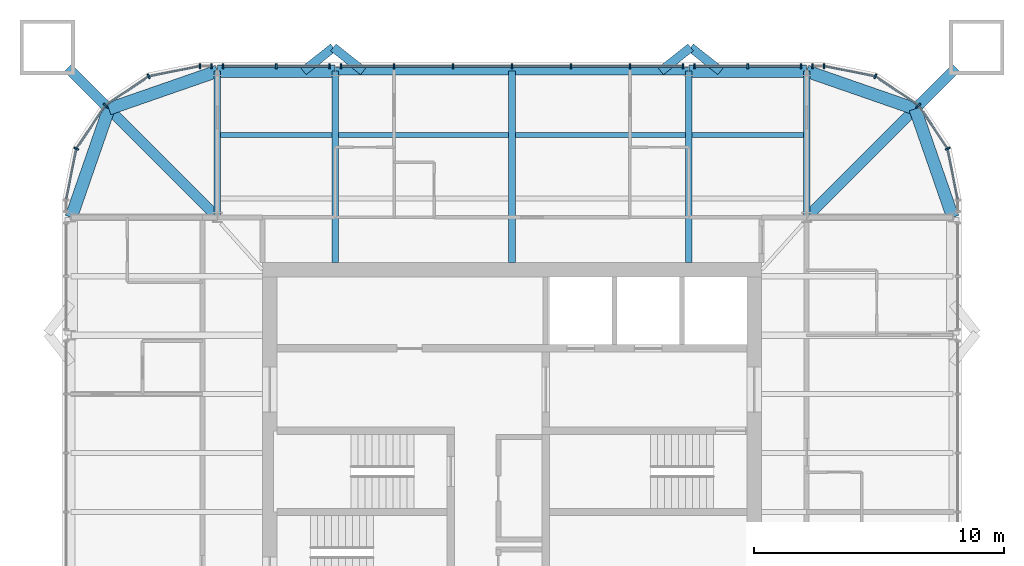
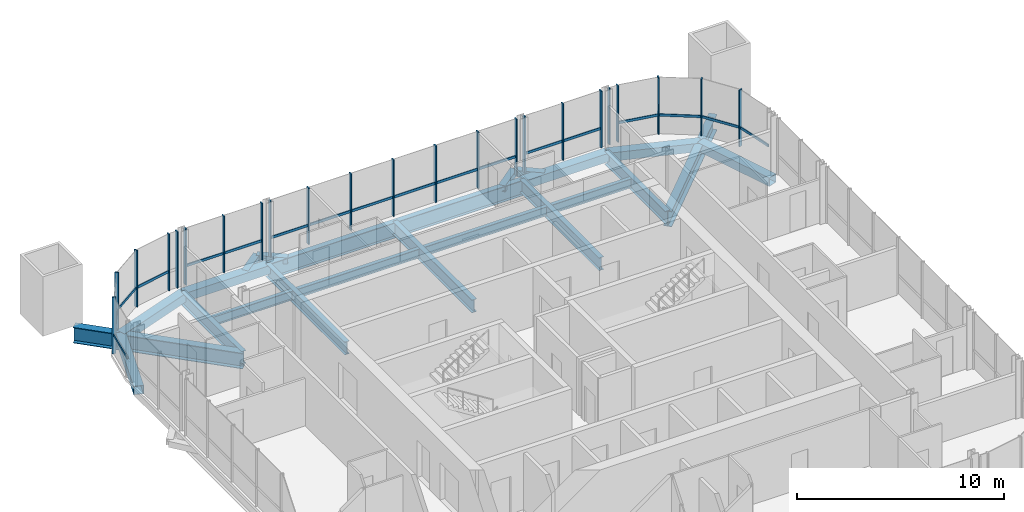
# One storey, part 6 of 17: 41 members, 22 beams, 7 elements without a shape of their own.
"""IFC4 building model written with IfcOpenShell, lengths in metres."""

import ifcopenshell
import ifcopenshell.guid

model = None  # the IFC model being written
_history = None  # IfcOwnerHistory: only IFC2X3 demands one
_inside = {}  # id of a spatial element -> (the spatial element, [elements in it])
_under = {}  # id of a project, library or spatial element -> (it, [spatial elements below it])
_declared = {}  # id of a project -> (the project, [libraries it declares])
_typed = {}  # id of a type object -> (the type object, [elements of that type])
_made_of = {}  # id of a material, layer set ... -> (it, [elements and type objects made of it])


def new_model(schema):
    """Start an empty IFC model of exactly this schema.

    Asked for "IFC4X3", IfcOpenShell would pick the latest addendum, in which some entities
    have other attributes; the version numbers below select the first issue.
    IFC2X3 requires an IfcOwnerHistory on every rooted entity: one is made here for all.
    """
    global model, _history
    if schema == "IFC4X3":
        model = ifcopenshell.file(schema_version=(4, 3, 0, 0))
    else:
        model = ifcopenshell.file(schema=schema)
    _inside.clear()
    _under.clear()
    _declared.clear()
    _typed.clear()
    _made_of.clear()
    _history = None
    if model.schema == "IFC2X3":
        org = make("IfcOrganization", Name="unknown")
        user = make(
            "IfcPersonAndOrganization",
            ThePerson=make("IfcPerson", FamilyName="unknown"),
            TheOrganization=org,
        )
        app = make(
            "IfcApplication",
            ApplicationDeveloper=org,
            Version="unknown",
            ApplicationFullName="unknown",
            ApplicationIdentifier="unknown",
        )
        _history = make(
            "IfcOwnerHistory",
            OwningUser=user,
            OwningApplication=app,
            ChangeAction="ADDED",
            CreationDate=0,
        )
    return model


def make(cls, **values):
    """One entity of the class cls with the attributes given. An attribute that is None is left unset."""
    return model.create_entity(
        cls, **{name: value for name, value in values.items() if value is not None}
    )


def rooted(cls, **values):
    """An entity with a GlobalId (a new one), such as an element, a storey or a relation."""
    return make(cls, GlobalId=ifcopenshell.guid.new(), OwnerHistory=_history, **values)


def si_unit(unit_type, name, prefix=None):
    """IfcSIUnit, for example si_unit("LENGTHUNIT", "METRE", prefix="MILLI")."""
    return make("IfcSIUnit", UnitType=unit_type, Prefix=prefix, Name=name)


def assignment(units):
    """IfcUnitAssignment: the units of a project."""
    return None if units is None else make("IfcUnitAssignment", Units=units)


def point(xyz):
    """IfcCartesianPoint."""
    return None if xyz is None else make("IfcCartesianPoint", Coordinates=xyz)


def direction(xyz):
    """IfcDirection."""
    return None if xyz is None else make("IfcDirection", DirectionRatios=xyz)


def frame(location, z_axis=None, x_axis=None):
    """IfcAxis2Placement3D, a coordinate frame: its origin and axes. An axis left out is left unset."""
    return make(
        "IfcAxis2Placement3D",
        Location=point(location),
        Axis=direction(z_axis),
        RefDirection=direction(x_axis),
    )


def frame_2d(location, x_axis=None):
    """IfcAxis2Placement2D, a coordinate frame in the plane: its origin and x axis."""
    return make(
        "IfcAxis2Placement2D", Location=point(location), RefDirection=direction(x_axis)
    )


def origin():
    """The frame at (0, 0, 0) with its axes left unset."""
    return frame((0.0, 0.0, 0.0))


def origin_2d():
    """The frame at (0, 0) in the plane with its x axis left unset."""
    return frame_2d((0.0, 0.0))


def place(relative_to, where):
    """IfcLocalPlacement: puts the frame where relative to a parent placement (None: the world)."""
    return make(
        "IfcLocalPlacement", PlacementRelTo=relative_to, RelativePlacement=where
    )


def context(
    kind, dimensions, precision=None, world=None, true_north=None, identifier=None
):
    """IfcGeometricRepresentationContext, for example the 3D "Model" context."""
    return make(
        "IfcGeometricRepresentationContext",
        ContextIdentifier=identifier,
        ContextType=kind,
        CoordinateSpaceDimension=dimensions,
        Precision=precision,
        WorldCoordinateSystem=world,
        TrueNorth=true_north,
    )


def subcontext(parent, identifier, kind, view, scale=None):
    """IfcGeometricRepresentationSubContext, for example "Body" below "Model"."""
    return make(
        "IfcGeometricRepresentationSubContext",
        ContextIdentifier=identifier,
        ContextType=kind,
        ParentContext=parent,
        TargetScale=scale,
        TargetView=view,
    )


def project(units=None, contexts=None):
    """IfcProject with its units and contexts."""
    return rooted(
        "IfcProject",
        Name="project",
        RepresentationContexts=contexts,
        UnitsInContext=assignment(units),
    )


def spatial(cls, under=None, at=None, **own):
    """A site, building, storey or space (cls), placed at a placement, below another one or the project."""
    s = rooted(cls, ObjectPlacement=at, **own)
    if under is not None:
        _under.setdefault(under.id(), (under, []))[1].append(s)
    return s


def profile(cls, at=None, kind="AREA", **sizes):
    """A parametric profile (cls). Its sizes go by their IFC names, for example OverallWidth=200.0."""
    return make(cls, ProfileType=kind, Position=at, **sizes)


def rectangle(**sizes):
    """IfcRectangleProfileDef."""
    return profile("IfcRectangleProfileDef", **sizes)


def hollow_rectangle(**sizes):
    """IfcRectangleHollowProfileDef."""
    return profile("IfcRectangleHollowProfileDef", **sizes)


def i_section(**sizes):
    """IfcIShapeProfileDef."""
    return profile("IfcIShapeProfileDef", **sizes)


def extrude(swept, where, along, depth):
    """IfcExtrudedAreaSolid: the profile swept, set in the frame where, extruded along a direction by depth."""
    return make(
        "IfcExtrudedAreaSolid",
        SweptArea=swept,
        Position=where,
        ExtrudedDirection=direction(along),
        Depth=depth,
    )


def shape(context_of_items, identifier, shape_type, items):
    """IfcShapeRepresentation: the items that make up one representation, for example the "Body"."""
    return make(
        "IfcShapeRepresentation",
        ContextOfItems=context_of_items,
        RepresentationIdentifier=identifier,
        RepresentationType=shape_type,
        Items=items,
    )


def material(Name=None, Category=None):
    """IfcMaterial."""
    return make("IfcMaterial", Name=Name, Category=Category)


def material_profile(
    of_material, cross_section, Name=None, Category=None, Priority=None
):
    """IfcMaterialProfile: a cross section and its material."""
    return make(
        "IfcMaterialProfile",
        Name=Name,
        Material=of_material,
        Profile=cross_section,
        Priority=Priority,
        Category=Category,
    )


def profile_set(profiles, Name=None, composite=None):
    """IfcMaterialProfileSet."""
    return make(
        "IfcMaterialProfileSet",
        Name=Name,
        MaterialProfiles=profiles,
        CompositeProfile=composite,
    )


def made_of(thing, what):
    """Note that an element or type object is made of a material, layer set ...; save() writes the relation."""
    if what is not None:
        _made_of.setdefault(what.id(), (what, []))[1].append(thing)
    return thing


def type_object(cls, material=None, **own):
    """A type object (cls), such as IfcWallType, which elements share."""
    return made_of(rooted(cls, **own), material)


def element(
    cls,
    number,
    at=None,
    inside=None,
    cuts=None,
    type_object=None,
    material=None,
    context=None,
    identifier="Body",
    shape_type=None,
    held_by="IfcProductDefinitionShape",
    body=None,
    shapes=None,
    **own,
):
    """One element of the class cls, such as IfcWall. Its Tag is "e" and its number.

    at: its placement. inside: the storey or other place that contains it. cuts: it is an
    opening in that element (IfcRelVoidsElement). A single representation is given by context,
    identifier, shape_type and body (its items); several are given by shapes. held_by: the class
    of the entity that holds the representations. save() writes the other relations.
    """
    e = rooted(cls, Tag="e%d" % number, ObjectPlacement=at, **own)
    if body is not None:
        shapes = [shape(context, identifier, shape_type, body)]
    if shapes is not None:
        e.Representation = make(held_by, Representations=shapes)
    if inside is not None:
        _inside.setdefault(inside.id(), (inside, []))[1].append(e)
    if cuts is not None:
        rooted(
            "IfcRelVoidsElement", RelatingBuildingElement=cuts, RelatedOpeningElement=e
        )
    if type_object is not None:
        _typed.setdefault(type_object.id(), (type_object, []))[1].append(e)
    return made_of(e, material)


def aggregate(whole, parts):
    """IfcRelAggregates: a whole, such as a stair, and the parts it consists of."""
    return rooted("IfcRelAggregates", RelatingObject=whole, RelatedObjects=parts)


def save(model, path):
    """Write the relations noted so far, then the file.

    IfcRelAggregates (storeys below a building ...), IfcRelContainedInSpatialStructure (elements
    in a storey), IfcRelDefinesByType, IfcRelAssociatesMaterial and IfcRelDeclares: one each for
    every whole, place, type object, material and project.
    """
    for whole, parts in _under.values():
        aggregate(whole, parts)
    for where, things in _inside.values():
        rooted(
            "IfcRelContainedInSpatialStructure",
            RelatedElements=things,
            RelatingStructure=where,
        )
    for kind, things in _typed.values():
        rooted("IfcRelDefinesByType", RelatedObjects=things, RelatingType=kind)
    for what, things in _made_of.values():
        rooted("IfcRelAssociatesMaterial", RelatedObjects=things, RelatingMaterial=what)
    for by, libraries in _declared.values():
        rooted("IfcRelDeclares", RelatingContext=by, RelatedDefinitions=libraries)
    model.write(path)


model = new_model("IFC4")

# Units and contexts
model_context = context("Model", 3, precision=1e-05, world=origin(), true_north=direction((0.0, 1.0)))
body_context = subcontext(model_context, "Body", "Model", "MODEL_VIEW")
ifc_project = project(units=[si_unit("LENGTHUNIT", "METRE"), si_unit("AREAUNIT", "SQUARE_METRE"), si_unit("VOLUMEUNIT", "CUBIC_METRE"), si_unit("PLANEANGLEUNIT", "RADIAN"), si_unit("MASSUNIT", "GRAM", prefix="KILO")], contexts=[model_context])

# Site, building, storey
site_placement = place(None, origin())
site = spatial("IfcSite", under=ifc_project, at=site_placement, CompositionType="ELEMENT")
building_placement = place(site_placement, origin())
building = spatial("IfcBuilding", under=site, at=building_placement, Name="Turquesa Mirador Hotel Tower", CompositionType="ELEMENT")
storey_placement = place(building_placement, frame((0.0, 0.0, 240.699951171875)))
storey = spatial("IfcBuildingStorey", under=building, at=storey_placement, Name="L65", CompositionType="ELEMENT", Elevation=240.699951171875)

# Beams
ifc_material_1 = material(Name="Steel ASTM A572 Grade 50", Category="steel")
ifc_material_profile_1 = material_profile(ifc_material_1, hollow_rectangle(XDim=0.5, YDim=0.5, WallThickness=0.01611328125, at=origin_2d()), Name="BOX500X500X16")
ifc_profile_set_1 = profile_set([ifc_material_profile_1], Name="Steel ASTM A572 Grade 50")
beam_type_1 = type_object("IfcBeamType", Name="BEAM BOX500X500X16", PredefinedType="BEAM", material=ifc_profile_set_1)
for number, where, z_axis, x_axis, name in (
    (1, (43.199951171875, 62.64990234375, -0.419921875), (1.0, 0.0, 0.0), (0.0, 1.0, 0.0), "EB-L65-N-L"),
    (2, (62.080078125, 62.64990234375, -0.419921875), (1.0, 0.0, 0.0), (0.0, 1.0, 0.0), "EB-L65-N-R"),
):
    element("IfcBeam", number, at=place(storey_placement, frame(where, z_axis=z_axis, x_axis=x_axis)), inside=storey, type_object=beam_type_1, Name=name, PredefinedType="BEAM", context=body_context, shape_type="SweptSolid", body=[
        extrude(hollow_rectangle(XDim=0.5, YDim=0.5, WallThickness=0.01611328125, at=origin_2d()), origin(), (0.0, 0.0, 1.0), 4.719970703125),
    ])
for number, where, z_axis, x_axis, name in (
    (3, (72.64990234375, 56.800048828125, -0.419921875), (-0.328170356092, 0.944618556552, 0.0), (-0.944618556552, -0.328170356092, 0.0), "KE-L65-1-0"),
    (4, (71.1416015625, 61.1416015625, -0.419921875), (-0.944618556552, 0.328170356092, 0.0), (-0.328170356092, -0.944618556552, 0.0), "KE-L65-1-1"),
    (5, (37.35009765625, 56.800048828125, -0.419921875), (0.328170356092, 0.944618556552, 0.0), (-0.944618556552, 0.328170356092, 0.0), "KE-L65-2-0"),
    (6, (38.8583984375, 61.1416015625, -0.419921875), (0.944618556552, 0.328170356092, 0.0), (-0.328170356092, 0.944618556552, 0.0), "KE-L65-2-1"),
):
    element("IfcBeam", number, at=place(storey_placement, frame(where, z_axis=z_axis, x_axis=x_axis)), inside=storey, type_object=beam_type_1, Name=name, PredefinedType="BEAM", context=body_context, shape_type="SweptSolid", body=[
        extrude(hollow_rectangle(XDim=0.5, YDim=0.5, WallThickness=0.01611328125, at=origin_2d()), origin(), (0.0, 0.0, 1.0), 4.59619140625),
    ])
ifc_material_2 = material(Name="Steel ASTM A992 Grade 50", Category="steel")
ifc_material_profile_2 = material_profile(ifc_material_2, i_section(OverallWidth=0.209228515625, OverallDepth=0.533447265625, WebThickness=0.01025390625, FlangeThickness=0.015625, at=origin_2d()), Name="W21X62")
ifc_profile_set_2 = profile_set([ifc_material_profile_2], Name="Steel ASTM A992 Grade 50")
beam_type_2 = type_object("IfcBeamType", Name="BEAM W21X62", PredefinedType="BEAM", material=ifc_profile_set_2)
beam_1_placement = place(storey_placement, frame((43.333251953125, 60.10009765625, -0.436767578125), z_axis=(1.0, 0.0, 0.0), x_axis=(0.0, 1.0, 0.0)))
element("IfcBeam", 7, at=beam_1_placement, inside=storey, type_object=beam_type_2, Name="IB-L65-N-2-0", PredefinedType="BEAM", context=body_context, shape_type="SweptSolid", body=[
    extrude(i_section(OverallWidth=0.209228515625, OverallDepth=0.533447265625, WebThickness=0.01025390625, FlangeThickness=0.015625, at=origin_2d()), origin(), (0.0, 0.0, 1.0), 4.453369140625),
])
for number, where, z_axis, x_axis, name in (
    (8, (48.053466796875, 60.10009765625, -0.436767578125), (1.0, 0.0, 0.0), (0.0, 1.0, 0.0), "IB-L65-N-2-1"),
    (9, (55.13330078125, 60.10009765625, -0.436767578125), (1.0, 0.0, 0.0), (0.0, 1.0, 0.0), "IB-L65-N-2-2"),
):
    element("IfcBeam", number, at=place(storey_placement, frame(where, z_axis=z_axis, x_axis=x_axis)), inside=storey, type_object=beam_type_2, Name=name, PredefinedType="BEAM", context=body_context, shape_type="SweptSolid", body=[
        extrude(i_section(OverallWidth=0.209228515625, OverallDepth=0.533447265625, WebThickness=0.01025390625, FlangeThickness=0.015625, at=origin_2d()), origin(), (0.0, 0.0, 1.0), 6.813232421875),
    ])
beam_2_placement = place(storey_placement, frame((62.21337890625, 60.10009765625, -0.436767578125), z_axis=(1.0, 0.0, 0.0), x_axis=(0.0, 1.0, 0.0)))
element("IfcBeam", 10, at=beam_2_placement, inside=storey, type_object=beam_type_2, Name="IB-L65-N-2-3", PredefinedType="BEAM", context=body_context, shape_type="SweptSolid", body=[
    extrude(i_section(OverallWidth=0.209228515625, OverallDepth=0.533447265625, WebThickness=0.01025390625, FlangeThickness=0.015625, at=origin_2d()), origin(), (0.0, 0.0, 1.0), 4.453369140625),
])
ifc_material_3 = material(Name="Steel ASTM A992 Grade 50", Category="steel")
ifc_material_profile_3 = material_profile(ifc_material_3, i_section(OverallWidth=0.2666015625, OverallDepth=0.7568359375, WebThickness=0.013916015625, FlangeThickness=0.019287109375, at=origin_2d()), Name="W30X108")
ifc_profile_set_3 = profile_set([ifc_material_profile_3], Name="Steel ASTM A992 Grade 50")
beam_type_3 = type_object("IfcBeamType", Name="BEAM W30X108", PredefinedType="BEAM", material=ifc_profile_set_3)
for number, where, z_axis, x_axis, name in (
    (11, (47.919921875, 62.64990234375, -0.54833984375), (0.0, -1.0, 0.0), (1.0, 0.0, 0.0), "GD-L65-N--7.08"),
    (12, (62.080078125, 62.64990234375, -0.54833984375), (0.0, -1.0, 0.0), (1.0, 0.0, 0.0), "GD-L65-N-+7.08"),
    (13, (55.0, 62.64990234375, -0.54833984375), (0.0, -1.0, 0.0), (1.0, 0.0, 0.0), "GD-L65-N-+0.00"),
):
    element("IfcBeam", number, at=place(storey_placement, frame(where, z_axis=z_axis, x_axis=x_axis)), inside=storey, type_object=beam_type_3, Name=name, PredefinedType="BEAM", context=body_context, shape_type="SweptSolid", body=[
        extrude(i_section(OverallWidth=0.2666015625, OverallDepth=0.7568359375, WebThickness=0.013916015625, FlangeThickness=0.019287109375, at=origin_2d()), origin(), (0.0, 0.0, 1.0), 7.64990234375),
    ])
for number, where, z_axis, x_axis, name in (
    (14, (43.199951171875, 62.64990234375, -0.54833984375), (0.0, -1.0, 0.0), (1.0, 0.0, 0.0), "GK-L65-N--11.80"),
    (15, (66.800048828125, 62.64990234375, -0.54833984375), (0.0, -1.0, 0.0), (1.0, 0.0, 0.0), "GK-L65-N-+11.80"),
):
    element("IfcBeam", number, at=place(storey_placement, frame(where, z_axis=z_axis, x_axis=x_axis)), inside=storey, type_object=beam_type_3, Name=name, PredefinedType="BEAM", context=body_context, shape_type="SweptSolid", body=[
        extrude(i_section(OverallWidth=0.2666015625, OverallDepth=0.7568359375, WebThickness=0.013916015625, FlangeThickness=0.019287109375, at=origin_2d()), origin(), (0.0, 0.0, 1.0), 5.849853515625),
    ])
ifc_material_4 = material(Name="Steel ASTM A992 Grade 50", Category="steel")
ifc_material_profile_4 = material_profile(ifc_material_4, i_section(OverallWidth=0.3046875, OverallDepth=0.911865234375, WebThickness=0.015869140625, FlangeThickness=0.02392578125, at=origin_2d()), Name="W36X150")
ifc_profile_set_4 = profile_set([ifc_material_profile_4], Name="Steel ASTM A992 Grade 50")
beam_type_4 = type_object("IfcBeamType", Name="BEAM W36X150", PredefinedType="BEAM", material=ifc_profile_set_4)
beam_3_placement = place(storey_placement, frame((47.919921875, 62.64990234375, -0.6259765625), z_axis=(1.0, 0.0, 0.0), x_axis=(0.0, 1.0, 0.0)))
element("IfcBeam", 16, at=beam_3_placement, inside=storey, type_object=beam_type_4, Name="EB-L65-N-C", PredefinedType="BEAM", context=body_context, shape_type="SweptSolid", body=[
    extrude(i_section(OverallWidth=0.3046875, OverallDepth=0.911865234375, WebThickness=0.015869140625, FlangeThickness=0.02392578125, at=origin_2d()), origin(), (0.0, 0.0, 1.0), 14.16015625),
])
ifc_material_5 = material(Name="Steel ASTM A992 Grade 50", Category="steel")
ifc_material_profile_5 = material_profile(ifc_material_5, i_section(OverallWidth=0.419189453125, OverallDepth=0.927001953125, WebThickness=0.019287109375, FlangeThickness=0.031982421875, at=origin_2d()), Name="W36X231")
ifc_profile_set_5 = profile_set([ifc_material_profile_5], Name="Steel ASTM A992 Grade 50")
beam_type_5 = type_object("IfcBeamType", Name="BEAM W36X231", PredefinedType="BEAM", material=ifc_profile_set_5)
for number, where, z_axis, x_axis, name in (
    (17, (66.800048828125, 56.800048828125, -0.633544921875), (0.707106781187, 0.707106781187, 0.0), (-0.707106781187, 0.707106781187, 0.0), "KD-L65-1"),
    (18, (43.199951171875, 56.800048828125, -0.633544921875), (-0.707106781187, 0.707106781187, 0.0), (-0.707106781187, -0.707106781187, 0.0), "KD-L65-2"),
):
    element("IfcBeam", number, at=place(storey_placement, frame(where, z_axis=z_axis, x_axis=x_axis)), inside=storey, type_object=beam_type_5, Name=name, PredefinedType="BEAM", context=body_context, shape_type="SweptSolid", body=[
        extrude(i_section(OverallWidth=0.419189453125, OverallDepth=0.927001953125, WebThickness=0.019287109375, FlangeThickness=0.031982421875, at=origin_2d()), origin(), (0.0, 0.0, 1.0), 8.46240234375),
    ])
ifc_material_6 = material(Name="Steel ASTM A500 Grade C", Category="steel")
ifc_material_profile_6 = material_profile(ifc_material_6, hollow_rectangle(XDim=0.355712890625, YDim=0.355712890625, WallThickness=0.0146484375, at=origin_2d()), Name="HSS14X14X5/8")
ifc_profile_set_6 = profile_set([ifc_material_profile_6], Name="Steel ASTM A500 Grade C")
beam_type_6 = type_object("IfcBeamType", Name="BRACE STRUT HSS14X14X5/8", PredefinedType="BEAM", material=ifc_profile_set_6)
for number, where, z_axis, x_axis, name in (
    (19, (47.84619140625, 63.60009765625, -0.34765625), (-0.783971428146, -0.620796907089, 0.0), (0.620796907089, -0.783971428146, 0.0), "Brace strut"),
    (20, (47.84619140625, 63.60009765625, -0.34765625), (0.783971428146, -0.620796907089, 0.0), (0.620796907089, 0.783971428146, 0.0), "Brace strut"),
    (21, (62.15380859375, 63.60009765625, -0.34765625), (-0.783971428146, -0.620796907089, 0.0), (0.620796907089, -0.783971428146, 0.0), "Brace strut"),
    (22, (62.15380859375, 63.60009765625, -0.34765625), (0.783971428146, -0.620796907089, 0.0), (0.620796907089, 0.783971428146, 0.0), "Brace strut"),
):
    element("IfcBeam", number, at=place(storey_placement, frame(where, z_axis=z_axis, x_axis=x_axis)), inside=storey, type_object=beam_type_6, Name=name, PredefinedType="BEAM", context=body_context, shape_type="SweptSolid", body=[
        extrude(hollow_rectangle(XDim=0.355712890625, YDim=0.355712890625, WallThickness=0.0146484375, at=origin_2d()), origin(), (0.0, 0.0, 1.0), 1.530517578125),
    ])

# Curtain wall, members
ifc_material_7 = material(Name="Aluminium extrusion", Category="aluminium")
curtain_wall_type = type_object("IfcCurtainWallType", Name="CW-4 SUITE FRITTED CURTAIN WALL", PredefinedType="USERDEFINED", material=ifc_material_7)
curtain_wall_1_placement = place(storey_placement, origin())
curtain_wall_1 = element("IfcCurtainWall", 23, at=curtain_wall_1_placement, inside=storey, type_object=curtain_wall_type, Name="CW-4 SUITE FRITTED CURTAIN WALL L65", ObjectType="CURTAIN WALL", PredefinedType="USERDEFINED")
ifc_material_8 = material(Name="Aluminium extrusion", Category="aluminium")
ifc_material_profile_7 = material_profile(ifc_material_8, rectangle(XDim=0.06494140625, YDim=0.199951171875, at=origin_2d()), Name="MULLION 65X200")
ifc_profile_set_7 = profile_set([ifc_material_profile_7], Name="Aluminium extrusion")
member_type_1 = type_object("IfcMemberType", Name="CW MULLION 65X200", PredefinedType="MULLION", material=ifc_profile_set_7)
member_1_placement = place(storey_placement, frame((72.44287109375, 59.54736328125, 0.0), z_axis=(0.0, 0.0, 1.0), x_axis=(-0.382683432365, 0.923879532511, 0.0)))
member_1 = element("IfcMember", 24, at=member_1_placement, type_object=member_type_1, Name="Mullion", PredefinedType="MULLION", context=body_context, shape_type="SweptSolid", body=[
    extrude(rectangle(XDim=0.06494140625, YDim=0.199951171875, at=origin_2d()), origin(), (0.0, 0.0, 1.0), 3.330078125),
])
member_2_placement = place(storey_placement, frame((71.282958984375, 61.282958984375, 0.0), z_axis=(0.0, 0.0, 1.0), x_axis=(-0.707106781187, 0.707106781187, 0.0)))
member_2 = element("IfcMember", 25, at=member_2_placement, type_object=member_type_1, Name="Mullion", PredefinedType="MULLION", context=body_context, shape_type="SweptSolid", body=[
    extrude(rectangle(XDim=0.06494140625, YDim=0.199951171875, at=origin_2d()), origin(), (0.0, 0.0, 1.0), 3.330078125),
])
member_3_placement = place(storey_placement, frame((69.54736328125, 62.44287109375, 0.0), z_axis=(0.0, 0.0, 1.0), x_axis=(-0.923879532511, 0.382683432365, 0.0)))
member_3 = element("IfcMember", 26, at=member_3_placement, type_object=member_type_1, Name="Mullion", PredefinedType="MULLION", context=body_context, shape_type="SweptSolid", body=[
    extrude(rectangle(XDim=0.06494140625, YDim=0.199951171875, at=origin_2d()), origin(), (0.0, 0.0, 1.0), 3.330078125),
])

curtain_wall_2_placement = place(storey_placement, origin())
curtain_wall_2 = element("IfcCurtainWall", 27, at=curtain_wall_2_placement, inside=storey, type_object=curtain_wall_type, Name="CW-4 SUITE FRITTED CURTAIN WALL L65", ObjectType="CURTAIN WALL", PredefinedType="USERDEFINED")
member_4_placement = place(storey_placement, frame((67.5, 62.85009765625, 0.0), z_axis=(0.0, 0.0, 1.0), x_axis=(-1.0, 0.0, 0.0)))
member_4 = element("IfcMember", 28, at=member_4_placement, type_object=member_type_1, Name="Mullion", PredefinedType="MULLION", context=body_context, shape_type="SweptSolid", body=[
    extrude(rectangle(XDim=0.06494140625, YDim=0.199951171875, at=origin_2d()), origin(), (0.0, 0.0, 1.0), 3.330078125),
])
member_5_placement = place(storey_placement, frame((67.033935546875, 62.85009765625, 0.0), z_axis=(0.0, 0.0, 1.0), x_axis=(-1.0, 0.0, 0.0)))
member_5 = element("IfcMember", 29, at=member_5_placement, type_object=member_type_1, Name="Mullion", PredefinedType="MULLION", context=body_context, shape_type="SweptSolid", body=[
    extrude(rectangle(XDim=0.06494140625, YDim=0.199951171875, at=origin_2d()), origin(), (0.0, 0.0, 1.0), 3.330078125),
])
aggregate(curtain_wall_2, [member_4, member_5])

curtain_wall_3_placement = place(storey_placement, origin())
curtain_wall_3 = element("IfcCurtainWall", 30, at=curtain_wall_3_placement, inside=storey, type_object=curtain_wall_type, Name="CW-4 SUITE FRITTED CURTAIN WALL L65", ObjectType="CURTAIN WALL", PredefinedType="USERDEFINED")
member_6_placement = place(storey_placement, frame((66.566162109375, 62.85009765625, 0.0), z_axis=(0.0, 0.0, 1.0), x_axis=(-1.0, 0.0, 0.0)))
member_6 = element("IfcMember", 31, at=member_6_placement, type_object=member_type_1, Name="Mullion", PredefinedType="MULLION", context=body_context, shape_type="SweptSolid", body=[
    extrude(rectangle(XDim=0.06494140625, YDim=0.199951171875, at=origin_2d()), origin(), (0.0, 0.0, 1.0), 3.330078125),
])
member_7_placement = place(storey_placement, frame((64.43994140625, 62.85009765625, 0.0), z_axis=(0.0, 0.0, 1.0), x_axis=(-1.0, 0.0, 0.0)))
member_7 = element("IfcMember", 32, at=member_7_placement, type_object=member_type_1, Name="Mullion", PredefinedType="MULLION", context=body_context, shape_type="SweptSolid", body=[
    extrude(rectangle(XDim=0.06494140625, YDim=0.199951171875, at=origin_2d()), origin(), (0.0, 0.0, 1.0), 3.330078125),
])
member_8_placement = place(storey_placement, frame((62.31396484375, 62.85009765625, 0.0), z_axis=(0.0, 0.0, 1.0), x_axis=(-1.0, 0.0, 0.0)))
member_8 = element("IfcMember", 33, at=member_8_placement, type_object=member_type_1, Name="Mullion", PredefinedType="MULLION", context=body_context, shape_type="SweptSolid", body=[
    extrude(rectangle(XDim=0.06494140625, YDim=0.199951171875, at=origin_2d()), origin(), (0.0, 0.0, 1.0), 3.330078125),
])

curtain_wall_4_placement = place(storey_placement, origin())
curtain_wall_4 = element("IfcCurtainWall", 34, at=curtain_wall_4_placement, inside=storey, type_object=curtain_wall_type, Name="CW-4 SUITE FRITTED CURTAIN WALL L65", ObjectType="CURTAIN WALL", PredefinedType="USERDEFINED")
member_9_placement = place(storey_placement, frame((61.84619140625, 62.85009765625, 0.0), z_axis=(0.0, 0.0, 1.0), x_axis=(-1.0, 0.0, 0.0)))
member_9 = element("IfcMember", 35, at=member_9_placement, type_object=member_type_1, Name="Mullion", PredefinedType="MULLION", context=body_context, shape_type="SweptSolid", body=[
    extrude(rectangle(XDim=0.06494140625, YDim=0.199951171875, at=origin_2d()), origin(), (0.0, 0.0, 1.0), 3.330078125),
])
member_10_placement = place(storey_placement, frame((59.719970703125, 62.85009765625, 0.0), z_axis=(0.0, 0.0, 1.0), x_axis=(-1.0, 0.0, 0.0)))
member_10 = element("IfcMember", 36, at=member_10_placement, type_object=member_type_1, Name="Mullion", PredefinedType="MULLION", context=body_context, shape_type="SweptSolid", body=[
    extrude(rectangle(XDim=0.06494140625, YDim=0.199951171875, at=origin_2d()), origin(), (0.0, 0.0, 1.0), 3.330078125),
])
member_11_placement = place(storey_placement, frame((57.360107421875, 62.85009765625, 0.0), z_axis=(0.0, 0.0, 1.0), x_axis=(-1.0, 0.0, 0.0)))
member_11 = element("IfcMember", 37, at=member_11_placement, type_object=member_type_1, Name="Mullion", PredefinedType="MULLION", context=body_context, shape_type="SweptSolid", body=[
    extrude(rectangle(XDim=0.06494140625, YDim=0.199951171875, at=origin_2d()), origin(), (0.0, 0.0, 1.0), 3.330078125),
])
member_12_placement = place(storey_placement, frame((55.0, 62.85009765625, 0.0), z_axis=(0.0, 0.0, 1.0), x_axis=(-1.0, 0.0, 0.0)))
member_12 = element("IfcMember", 38, at=member_12_placement, type_object=member_type_1, Name="Mullion", PredefinedType="MULLION", context=body_context, shape_type="SweptSolid", body=[
    extrude(rectangle(XDim=0.06494140625, YDim=0.199951171875, at=origin_2d()), origin(), (0.0, 0.0, 1.0), 3.330078125),
])
member_13_placement = place(storey_placement, frame((52.639892578125, 62.85009765625, 0.0), z_axis=(0.0, 0.0, 1.0), x_axis=(-1.0, 0.0, 0.0)))
member_13 = element("IfcMember", 39, at=member_13_placement, type_object=member_type_1, Name="Mullion", PredefinedType="MULLION", context=body_context, shape_type="SweptSolid", body=[
    extrude(rectangle(XDim=0.06494140625, YDim=0.199951171875, at=origin_2d()), origin(), (0.0, 0.0, 1.0), 3.330078125),
])
member_14_placement = place(storey_placement, frame((50.280029296875, 62.85009765625, 0.0), z_axis=(0.0, 0.0, 1.0), x_axis=(-1.0, 0.0, 0.0)))
member_14 = element("IfcMember", 40, at=member_14_placement, type_object=member_type_1, Name="Mullion", PredefinedType="MULLION", context=body_context, shape_type="SweptSolid", body=[
    extrude(rectangle(XDim=0.06494140625, YDim=0.199951171875, at=origin_2d()), origin(), (0.0, 0.0, 1.0), 3.330078125),
])
member_15_placement = place(storey_placement, frame((48.15380859375, 62.85009765625, 0.0), z_axis=(0.0, 0.0, 1.0), x_axis=(-1.0, 0.0, 0.0)))
member_15 = element("IfcMember", 41, at=member_15_placement, type_object=member_type_1, Name="Mullion", PredefinedType="MULLION", context=body_context, shape_type="SweptSolid", body=[
    extrude(rectangle(XDim=0.06494140625, YDim=0.199951171875, at=origin_2d()), origin(), (0.0, 0.0, 1.0), 3.330078125),
])

curtain_wall_5_placement = place(storey_placement, origin())
curtain_wall_5 = element("IfcCurtainWall", 42, at=curtain_wall_5_placement, inside=storey, type_object=curtain_wall_type, Name="CW-4 SUITE FRITTED CURTAIN WALL L65", ObjectType="CURTAIN WALL", PredefinedType="USERDEFINED")
member_16_placement = place(storey_placement, frame((47.68603515625, 62.85009765625, 0.0), z_axis=(0.0, 0.0, 1.0), x_axis=(-1.0, 0.0, 0.0)))
member_16 = element("IfcMember", 43, at=member_16_placement, type_object=member_type_1, Name="Mullion", PredefinedType="MULLION", context=body_context, shape_type="SweptSolid", body=[
    extrude(rectangle(XDim=0.06494140625, YDim=0.199951171875, at=origin_2d()), origin(), (0.0, 0.0, 1.0), 3.330078125),
])
member_17_placement = place(storey_placement, frame((45.56005859375, 62.85009765625, 0.0), z_axis=(0.0, 0.0, 1.0), x_axis=(-1.0, 0.0, 0.0)))
member_17 = element("IfcMember", 44, at=member_17_placement, type_object=member_type_1, Name="Mullion", PredefinedType="MULLION", context=body_context, shape_type="SweptSolid", body=[
    extrude(rectangle(XDim=0.06494140625, YDim=0.199951171875, at=origin_2d()), origin(), (0.0, 0.0, 1.0), 3.330078125),
])
member_18_placement = place(storey_placement, frame((43.433837890625, 62.85009765625, 0.0), z_axis=(0.0, 0.0, 1.0), x_axis=(-1.0, 0.0, 0.0)))
member_18 = element("IfcMember", 45, at=member_18_placement, type_object=member_type_1, Name="Mullion", PredefinedType="MULLION", context=body_context, shape_type="SweptSolid", body=[
    extrude(rectangle(XDim=0.06494140625, YDim=0.199951171875, at=origin_2d()), origin(), (0.0, 0.0, 1.0), 3.330078125),
])

curtain_wall_6_placement = place(storey_placement, origin())
curtain_wall_6 = element("IfcCurtainWall", 46, at=curtain_wall_6_placement, inside=storey, type_object=curtain_wall_type, Name="CW-4 SUITE FRITTED CURTAIN WALL L65", ObjectType="CURTAIN WALL", PredefinedType="USERDEFINED")
member_19_placement = place(storey_placement, frame((42.966064453125, 62.85009765625, 0.0), z_axis=(0.0, 0.0, 1.0), x_axis=(-1.0, 0.0, 0.0)))
member_19 = element("IfcMember", 47, at=member_19_placement, type_object=member_type_1, Name="Mullion", PredefinedType="MULLION", context=body_context, shape_type="SweptSolid", body=[
    extrude(rectangle(XDim=0.06494140625, YDim=0.199951171875, at=origin_2d()), origin(), (0.0, 0.0, 1.0), 3.330078125),
])
member_20_placement = place(storey_placement, frame((42.5, 62.85009765625, 0.0), z_axis=(0.0, 0.0, 1.0), x_axis=(-1.0, 0.0, 0.0)))
member_20 = element("IfcMember", 48, at=member_20_placement, type_object=member_type_1, Name="Mullion", PredefinedType="MULLION", context=body_context, shape_type="SweptSolid", body=[
    extrude(rectangle(XDim=0.06494140625, YDim=0.199951171875, at=origin_2d()), origin(), (0.0, 0.0, 1.0), 3.330078125),
])
aggregate(curtain_wall_6, [member_19, member_20])

curtain_wall_7_placement = place(storey_placement, origin())
curtain_wall_7 = element("IfcCurtainWall", 49, at=curtain_wall_7_placement, inside=storey, type_object=curtain_wall_type, Name="CW-4 SUITE FRITTED CURTAIN WALL L65", ObjectType="CURTAIN WALL", PredefinedType="USERDEFINED")
member_21_placement = place(storey_placement, frame((40.45263671875, 62.44287109375, 0.0), z_axis=(0.0, 0.0, 1.0), x_axis=(-0.923879532511, -0.382683432365, 0.0)))
member_21 = element("IfcMember", 50, at=member_21_placement, type_object=member_type_1, Name="Mullion", PredefinedType="MULLION", context=body_context, shape_type="SweptSolid", body=[
    extrude(rectangle(XDim=0.06494140625, YDim=0.199951171875, at=origin_2d()), origin(), (0.0, 0.0, 1.0), 3.330078125),
])
member_22_placement = place(storey_placement, frame((38.717041015625, 61.282958984375, 0.0), z_axis=(0.0, 0.0, 1.0), x_axis=(-0.707106781187, -0.707106781187, 0.0)))
member_22 = element("IfcMember", 51, at=member_22_placement, type_object=member_type_1, Name="Mullion", PredefinedType="MULLION", context=body_context, shape_type="SweptSolid", body=[
    extrude(rectangle(XDim=0.06494140625, YDim=0.199951171875, at=origin_2d()), origin(), (0.0, 0.0, 1.0), 3.330078125),
])
member_23_placement = place(storey_placement, frame((37.55712890625, 59.54736328125, 0.0), z_axis=(0.0, 0.0, 1.0), x_axis=(-0.382683432365, -0.923879532511, 0.0)))
member_23 = element("IfcMember", 52, at=member_23_placement, type_object=member_type_1, Name="Mullion", PredefinedType="MULLION", context=body_context, shape_type="SweptSolid", body=[
    extrude(rectangle(XDim=0.06494140625, YDim=0.199951171875, at=origin_2d()), origin(), (0.0, 0.0, 1.0), 3.330078125),
])

# Member
ifc_material_9 = material(Name="Aluminium extrusion", Category="aluminium")
ifc_material_profile_8 = material_profile(ifc_material_9, rectangle(XDim=0.06494140625, YDim=0.14990234375, at=origin_2d()), Name="TRANSOM 65X150")
ifc_profile_set_8 = profile_set([ifc_material_profile_8], Name="Aluminium extrusion")
member_type_2 = type_object("IfcMemberType", Name="CW TRANSOM 65X150", PredefinedType="USERDEFINED", material=ifc_profile_set_8)
member_24_placement = place(storey_placement, frame((72.84375, 57.531982421875, 1.10009765625), z_axis=(-0.195210621934, 0.980761343592, 0.0), x_axis=(-0.980761343592, -0.195210621934, 0.0)))
member_24 = element("IfcMember", 53, at=member_24_placement, type_object=member_type_2, Name="Transom", ObjectType="TRANSOM", PredefinedType="USERDEFINED", context=body_context, shape_type="SweptSolid", body=[
    extrude(rectangle(XDim=0.06494140625, YDim=0.14990234375, at=origin_2d()), origin(), (0.0, 0.0, 1.0), 2.022216796875),
])

member_25_placement = place(storey_placement, frame((72.4248046875, 59.574462890625, 1.10009765625), z_axis=(-0.555619095835, 0.831436961136, 0.0), x_axis=(-0.831436961136, -0.555619095835, 0.0)))
member_25 = element("IfcMember", 54, at=member_25_placement, type_object=member_type_2, Name="Transom", ObjectType="TRANSOM", PredefinedType="USERDEFINED", context=body_context, shape_type="SweptSolid", body=[
    extrude(rectangle(XDim=0.06494140625, YDim=0.14990234375, at=origin_2d()), origin(), (0.0, 0.0, 1.0), 2.0224609375),
])

member_26_placement = place(storey_placement, frame((71.256103515625, 61.301025390625, 1.10009765625), z_axis=(-0.831436961136, 0.555619095835, 0.0), x_axis=(-0.555619095835, -0.831436961136, 0.0)))
member_26 = element("IfcMember", 55, at=member_26_placement, type_object=member_type_2, Name="Transom", ObjectType="TRANSOM", PredefinedType="USERDEFINED", context=body_context, shape_type="SweptSolid", body=[
    extrude(rectangle(XDim=0.06494140625, YDim=0.14990234375, at=origin_2d()), origin(), (0.0, 0.0, 1.0), 2.0224609375),
])

member_27_placement = place(storey_placement, frame((69.515380859375, 62.448974609375, 1.10009765625), z_axis=(-0.980761343592, 0.195210621934, 0.0), x_axis=(-0.195210621934, -0.980761343592, 0.0)))
member_27 = element("IfcMember", 56, at=member_27_placement, type_object=member_type_2, Name="Transom", ObjectType="TRANSOM", PredefinedType="USERDEFINED", context=body_context, shape_type="SweptSolid", body=[
    extrude(rectangle(XDim=0.06494140625, YDim=0.14990234375, at=origin_2d()), origin(), (0.0, 0.0, 1.0), 2.022216796875),
])

aggregate(curtain_wall_1, [member_1, member_2, member_3, member_24, member_25, member_26, member_27])

member_28_placement = place(storey_placement, frame((66.53369140625, 62.85009765625, 1.10009765625), z_axis=(-1.0, 0.0, 0.0), x_axis=(0.0, -1.0, 0.0)))
member_28 = element("IfcMember", 57, at=member_28_placement, type_object=member_type_2, Name="Transom", ObjectType="TRANSOM", PredefinedType="USERDEFINED", context=body_context, shape_type="SweptSolid", body=[
    extrude(rectangle(XDim=0.06494140625, YDim=0.14990234375, at=origin_2d()), origin(), (0.0, 0.0, 1.0), 2.061279296875),
])

member_29_placement = place(storey_placement, frame((64.407470703125, 62.85009765625, 1.10009765625), z_axis=(-1.0, 0.0, 0.0), x_axis=(0.0, -1.0, 0.0)))
member_29 = element("IfcMember", 58, at=member_29_placement, type_object=member_type_2, Name="Transom", ObjectType="TRANSOM", PredefinedType="USERDEFINED", context=body_context, shape_type="SweptSolid", body=[
    extrude(rectangle(XDim=0.06494140625, YDim=0.14990234375, at=origin_2d()), origin(), (0.0, 0.0, 1.0), 2.06103515625),
])

aggregate(curtain_wall_3, [member_6, member_7, member_8, member_28, member_29])

member_30_placement = place(storey_placement, frame((61.813720703125, 62.85009765625, 1.10009765625), z_axis=(-1.0, 0.0, 0.0), x_axis=(0.0, -1.0, 0.0)))
member_30 = element("IfcMember", 59, at=member_30_placement, type_object=member_type_2, Name="Transom", ObjectType="TRANSOM", PredefinedType="USERDEFINED", context=body_context, shape_type="SweptSolid", body=[
    extrude(rectangle(XDim=0.06494140625, YDim=0.14990234375, at=origin_2d()), origin(), (0.0, 0.0, 1.0), 2.061279296875),
])

member_31_placement = place(storey_placement, frame((59.6875, 62.85009765625, 1.10009765625), z_axis=(-1.0, 0.0, 0.0), x_axis=(0.0, -1.0, 0.0)))
member_31 = element("IfcMember", 60, at=member_31_placement, type_object=member_type_2, Name="Transom", ObjectType="TRANSOM", PredefinedType="USERDEFINED", context=body_context, shape_type="SweptSolid", body=[
    extrude(rectangle(XDim=0.06494140625, YDim=0.14990234375, at=origin_2d()), origin(), (0.0, 0.0, 1.0), 2.294921875),
])

member_32_placement = place(storey_placement, frame((57.327392578125, 62.85009765625, 1.10009765625), z_axis=(-1.0, 0.0, 0.0), x_axis=(0.0, -1.0, 0.0)))
member_32 = element("IfcMember", 61, at=member_32_placement, type_object=member_type_2, Name="Transom", ObjectType="TRANSOM", PredefinedType="USERDEFINED", context=body_context, shape_type="SweptSolid", body=[
    extrude(rectangle(XDim=0.06494140625, YDim=0.14990234375, at=origin_2d()), origin(), (0.0, 0.0, 1.0), 2.294921875),
])

member_33_placement = place(storey_placement, frame((54.967529296875, 62.85009765625, 1.10009765625), z_axis=(-1.0, 0.0, 0.0), x_axis=(0.0, -1.0, 0.0)))
member_33 = element("IfcMember", 62, at=member_33_placement, type_object=member_type_2, Name="Transom", ObjectType="TRANSOM", PredefinedType="USERDEFINED", context=body_context, shape_type="SweptSolid", body=[
    extrude(rectangle(XDim=0.06494140625, YDim=0.14990234375, at=origin_2d()), origin(), (0.0, 0.0, 1.0), 2.294921875),
])

member_34_placement = place(storey_placement, frame((52.607421875, 62.85009765625, 1.10009765625), z_axis=(-1.0, 0.0, 0.0), x_axis=(0.0, -1.0, 0.0)))
member_34 = element("IfcMember", 63, at=member_34_placement, type_object=member_type_2, Name="Transom", ObjectType="TRANSOM", PredefinedType="USERDEFINED", context=body_context, shape_type="SweptSolid", body=[
    extrude(rectangle(XDim=0.06494140625, YDim=0.14990234375, at=origin_2d()), origin(), (0.0, 0.0, 1.0), 2.294921875),
])

member_35_placement = place(storey_placement, frame((50.24755859375, 62.85009765625, 1.10009765625), z_axis=(-1.0, 0.0, 0.0), x_axis=(0.0, -1.0, 0.0)))
member_35 = element("IfcMember", 64, at=member_35_placement, type_object=member_type_2, Name="Transom", ObjectType="TRANSOM", PredefinedType="USERDEFINED", context=body_context, shape_type="SweptSolid", body=[
    extrude(rectangle(XDim=0.06494140625, YDim=0.14990234375, at=origin_2d()), origin(), (0.0, 0.0, 1.0), 2.061279296875),
])

aggregate(curtain_wall_4, [member_9, member_10, member_11, member_12, member_13, member_14, member_15, member_30, member_31, member_32, member_33, member_34, member_35])

member_36_placement = place(storey_placement, frame((47.653564453125, 62.85009765625, 1.10009765625), z_axis=(-1.0, 0.0, 0.0), x_axis=(0.0, -1.0, 0.0)))
member_36 = element("IfcMember", 65, at=member_36_placement, type_object=member_type_2, Name="Transom", ObjectType="TRANSOM", PredefinedType="USERDEFINED", context=body_context, shape_type="SweptSolid", body=[
    extrude(rectangle(XDim=0.06494140625, YDim=0.14990234375, at=origin_2d()), origin(), (0.0, 0.0, 1.0), 2.06103515625),
])

member_37_placement = place(storey_placement, frame((45.527587890625, 62.85009765625, 1.10009765625), z_axis=(-1.0, 0.0, 0.0), x_axis=(0.0, -1.0, 0.0)))
member_37 = element("IfcMember", 66, at=member_37_placement, type_object=member_type_2, Name="Transom", ObjectType="TRANSOM", PredefinedType="USERDEFINED", context=body_context, shape_type="SweptSolid", body=[
    extrude(rectangle(XDim=0.06494140625, YDim=0.14990234375, at=origin_2d()), origin(), (0.0, 0.0, 1.0), 2.061279296875),
])

aggregate(curtain_wall_5, [member_16, member_17, member_18, member_36, member_37])

member_38_placement = place(storey_placement, frame((42.468017578125, 62.84375, 1.10009765625), z_axis=(-0.980761343592, -0.195210621934, 0.0), x_axis=(0.195210621934, -0.980761343592, 0.0)))
member_38 = element("IfcMember", 67, at=member_38_placement, type_object=member_type_2, Name="Transom", ObjectType="TRANSOM", PredefinedType="USERDEFINED", context=body_context, shape_type="SweptSolid", body=[
    extrude(rectangle(XDim=0.06494140625, YDim=0.14990234375, at=origin_2d()), origin(), (0.0, 0.0, 1.0), 2.022216796875),
])

member_39_placement = place(storey_placement, frame((40.425537109375, 62.4248046875, 1.10009765625), z_axis=(-0.831436961136, -0.555619095835, 0.0), x_axis=(0.555619095835, -0.831436961136, 0.0)))
member_39 = element("IfcMember", 68, at=member_39_placement, type_object=member_type_2, Name="Transom", ObjectType="TRANSOM", PredefinedType="USERDEFINED", context=body_context, shape_type="SweptSolid", body=[
    extrude(rectangle(XDim=0.06494140625, YDim=0.14990234375, at=origin_2d()), origin(), (0.0, 0.0, 1.0), 2.0224609375),
])

member_40_placement = place(storey_placement, frame((38.698974609375, 61.256103515625, 1.10009765625), z_axis=(-0.555619095835, -0.831436961136, 0.0), x_axis=(0.831436961136, -0.555619095835, 0.0)))
member_40 = element("IfcMember", 69, at=member_40_placement, type_object=member_type_2, Name="Transom", ObjectType="TRANSOM", PredefinedType="USERDEFINED", context=body_context, shape_type="SweptSolid", body=[
    extrude(rectangle(XDim=0.06494140625, YDim=0.14990234375, at=origin_2d()), origin(), (0.0, 0.0, 1.0), 2.0224609375),
])

member_41_placement = place(storey_placement, frame((37.551025390625, 59.515380859375, 1.10009765625), z_axis=(-0.195210621934, -0.980761343592, 0.0), x_axis=(0.980761343592, -0.195210621934, 0.0)))
member_41 = element("IfcMember", 70, at=member_41_placement, type_object=member_type_2, Name="Transom", ObjectType="TRANSOM", PredefinedType="USERDEFINED", context=body_context, shape_type="SweptSolid", body=[
    extrude(rectangle(XDim=0.06494140625, YDim=0.14990234375, at=origin_2d()), origin(), (0.0, 0.0, 1.0), 2.022216796875),
])

aggregate(curtain_wall_7, [member_21, member_22, member_23, member_38, member_39, member_40, member_41])

save(model, "model.ifc")
